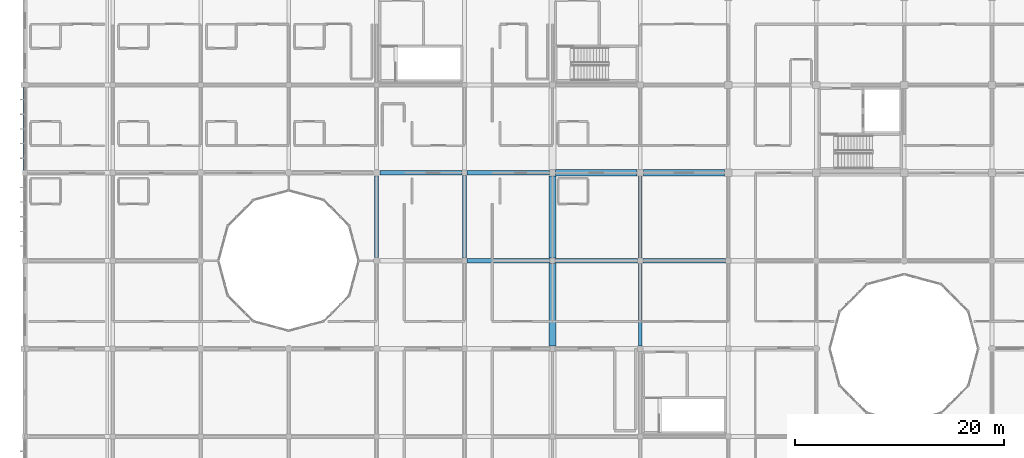
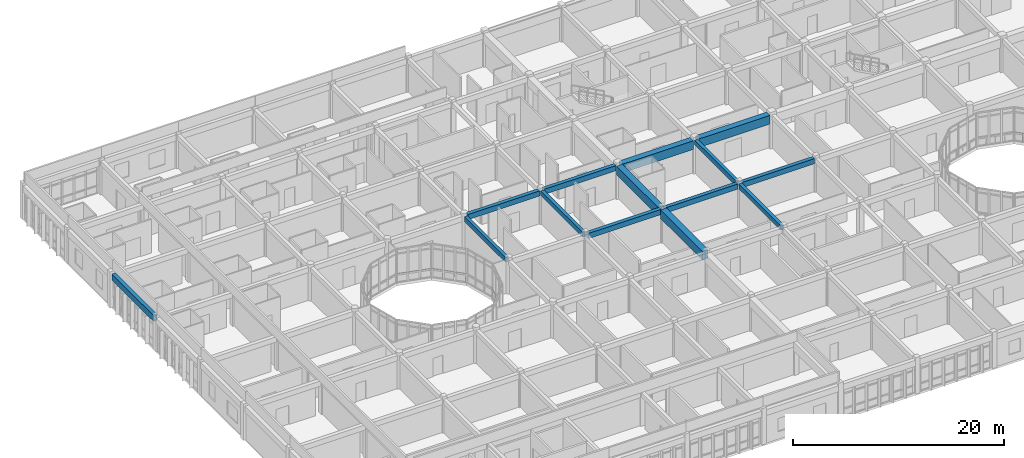
# One storey, part 26 of 119: 14 beams.
"""IFC4 building model written with IfcOpenShell, lengths in metres."""

from ifc_helpers import new_model, si_unit, direction, frame, origin, origin_2d, place, context, subcontext, project, spatial, rectangle, extrude, material, material_profile, profile_set, type_object, element, save


model = new_model("IFC4")

# Units and contexts
model_context = context("Model", 3, precision=1e-05, world=origin(), true_north=direction((0.0, 1.0)))
body_context = subcontext(model_context, "Body", "Model", "MODEL_VIEW")
ifc_project = project(units=[si_unit("LENGTHUNIT", "METRE"), si_unit("AREAUNIT", "SQUARE_METRE"), si_unit("VOLUMEUNIT", "CUBIC_METRE"), si_unit("PLANEANGLEUNIT", "RADIAN"), si_unit("MASSUNIT", "GRAM", prefix="KILO")], contexts=[model_context])

# Site, building, storey
site_placement = place(None, origin())
site = spatial("IfcSite", under=ifc_project, at=site_placement, CompositionType="ELEMENT")
building_placement = place(site_placement, origin())
building = spatial("IfcBuilding", under=site, at=building_placement, Name="Bramfleet General Hospital", CompositionType="ELEMENT")
storey_placement = place(building_placement, frame((0.0, 0.0, 14.39990234375)))
storey = spatial("IfcBuildingStorey", under=building, at=storey_placement, Name="L03", CompositionType="ELEMENT", Elevation=14.39990234375)

# Beams
ifc_material_1 = material(Name="Concrete C35/45", Category="concrete")
ifc_material_profile_1 = material_profile(ifc_material_1, rectangle(XDim=0.35009765625, YDim=0.550048828125, at=origin_2d()), Name="RC BM 550x350")
ifc_profile_set_1 = profile_set([ifc_material_profile_1], Name="Concrete C35/45")
beam_type_1 = type_object("IfcBeamType", Name="BM-RC550", PredefinedType="BEAM", material=ifc_profile_set_1)
beam_1_placement = place(storey_placement, frame((33.60009765625, 84.324951171875, 3.614990234375), z_axis=(0.0, 1.0, 0.0), x_axis=(-1.0, 0.0, 0.0)))
element("IfcBeam", 1, at=beam_1_placement, inside=storey, type_object=beam_type_1, Name="L03 Grid Beam Y 04-10", PredefinedType="BEAM", context=body_context, shape_type="SweptSolid", body=[
    extrude(rectangle(XDim=0.35009765625, YDim=0.550048828125, at=origin_2d()), origin(), (0.0, 0.0, 1.0), 7.75),
])
for number, where, z_axis, x_axis, name in (
    (2, (42.0, 84.25, 3.614990234375), (0.0, 1.0, 0.0), (-1.0, 0.0, 0.0), "L03 Grid Beam Y 05-10"),
    (3, (58.800048828125, 75.85009765625, 3.614990234375), (0.0, 1.0, 0.0), (-1.0, 0.0, 0.0), "L03 Grid Beam Y 07-09"),
):
    element("IfcBeam", number, at=place(storey_placement, frame(where, z_axis=z_axis, x_axis=x_axis)), inside=storey, type_object=beam_type_1, Name=name, PredefinedType="BEAM", context=body_context, shape_type="SweptSolid", body=[
        extrude(rectangle(XDim=0.35009765625, YDim=0.550048828125, at=origin_2d()), origin(), (0.0, 0.0, 1.0), 7.89990234375),
    ])
beam_2_placement = place(storey_placement, frame((58.800048828125, 84.25, 3.614990234375), z_axis=(0.0, 1.0, 0.0), x_axis=(-1.0, 0.0, 0.0)))
element("IfcBeam", 4, at=beam_2_placement, inside=storey, type_object=beam_type_1, Name="L03 Grid Beam Y 07-10", PredefinedType="BEAM", context=body_context, shape_type="SweptSolid", body=[
    extrude(rectangle(XDim=0.35009765625, YDim=0.550048828125, at=origin_2d()), origin(), (0.0, 0.0, 1.0), 7.85009765625),
])
ifc_material_profile_2 = material_profile(ifc_material_1, rectangle(XDim=0.39990234375, YDim=0.60009765625, at=origin_2d()), Name="RC BM 600x400")
ifc_profile_set_2 = profile_set([ifc_material_profile_2], Name="Concrete C35/45")
beam_type_2 = type_object("IfcBeamType", Name="BM-RC600", PredefinedType="BEAM", material=ifc_profile_set_2)
beam_3_placement = place(storey_placement, frame((33.925048828125, 92.39990234375, 3.590087890625), z_axis=(1.0, 0.0, 0.0), x_axis=(0.0, 1.0, 0.0)))
element("IfcBeam", 5, at=beam_3_placement, inside=storey, type_object=beam_type_2, Name="L03 Grid Beam X 04-11", PredefinedType="BEAM", context=body_context, shape_type="SweptSolid", body=[
    extrude(rectangle(XDim=0.39990234375, YDim=0.60009765625, at=origin_2d()), origin(), (0.0, 0.0, 1.0), 7.824951171875),
])
beam_4_placement = place(storey_placement, frame((42.25, 84.0, 3.590087890625), z_axis=(1.0, 0.0, 0.0), x_axis=(0.0, 1.0, 0.0)))
element("IfcBeam", 6, at=beam_4_placement, inside=storey, type_object=beam_type_2, Name="L03 Grid Beam X 05-10", PredefinedType="BEAM", context=body_context, shape_type="SweptSolid", body=[
    extrude(rectangle(XDim=0.39990234375, YDim=0.60009765625, at=origin_2d()), origin(), (0.0, 0.0, 1.0), 7.89990234375),
])
beam_5_placement = place(storey_placement, frame((42.25, 92.39990234375, 3.590087890625), z_axis=(1.0, 0.0, 0.0), x_axis=(0.0, 1.0, 0.0)))
element("IfcBeam", 7, at=beam_5_placement, inside=storey, type_object=beam_type_2, Name="L03 Grid Beam X 05-11", PredefinedType="BEAM", context=body_context, shape_type="SweptSolid", body=[
    extrude(rectangle(XDim=0.39990234375, YDim=0.60009765625, at=origin_2d()), origin(), (0.0, 0.0, 1.0), 7.85009765625),
])
beam_6_placement = place(storey_placement, frame((50.64990234375, 84.0, 3.590087890625), z_axis=(1.0, 0.0, 0.0), x_axis=(0.0, 1.0, 0.0)))
element("IfcBeam", 8, at=beam_6_placement, inside=storey, type_object=beam_type_2, Name="L03 Grid Beam X 06-10", PredefinedType="BEAM", context=body_context, shape_type="SweptSolid", body=[
    extrude(rectangle(XDim=0.39990234375, YDim=0.60009765625, at=origin_2d()), origin(), (0.0, 0.0, 1.0), 7.900146484375),
])
beam_7_placement = place(storey_placement, frame((59.050048828125, 84.0, 3.590087890625), z_axis=(1.0, 0.0, 0.0), x_axis=(0.0, 1.0, 0.0)))
element("IfcBeam", 9, at=beam_7_placement, inside=storey, type_object=beam_type_2, Name="L03 Grid Beam X 07-10", PredefinedType="BEAM", context=body_context, shape_type="SweptSolid", body=[
    extrude(rectangle(XDim=0.39990234375, YDim=0.60009765625, at=origin_2d()), origin(), (0.0, 0.0, 1.0), 7.89990234375),
])
ifc_material_profile_3 = material_profile(ifc_material_1, rectangle(XDim=0.39990234375, YDim=0.699951171875, at=origin_2d()), Name="RC SP 700x400")
ifc_profile_set_3 = profile_set([ifc_material_profile_3], Name="Concrete C35/45")
beam_type_3 = type_object("IfcBeamType", Name="BM-SP700", PredefinedType="SPANDREL", material=ifc_profile_set_3)
beam_8_placement = place(storey_placement, frame((0.0, 92.64990234375, 3.550048828125), z_axis=(0.0, 1.0, 0.0), x_axis=(-1.0, 0.0, 0.0)))
element("IfcBeam", 10, at=beam_8_placement, inside=storey, type_object=beam_type_3, Name="L03 Grid Beam Y 00-11", PredefinedType="SPANDREL", context=body_context, shape_type="SweptSolid", body=[
    extrude(rectangle(XDim=0.39990234375, YDim=0.699951171875, at=origin_2d()), origin(), (0.0, 0.0, 1.0), 7.900146484375),
])
ifc_material_2 = material(Name="Concrete C40/50", Category="concrete")
ifc_material_profile_4 = material_profile(ifc_material_2, rectangle(XDim=0.64990234375, YDim=1.0, at=origin_2d()), Name="RC TG 1000x650")
ifc_profile_set_4 = profile_set([ifc_material_profile_4], Name="Concrete C40/50")
beam_type_4 = type_object("IfcBeamType", Name="BM-TG1000", PredefinedType="BEAM", material=ifc_profile_set_4)
beam_9_placement = place(storey_placement, frame((50.699951171875, 92.39990234375, 3.39013671875), z_axis=(1.0, 0.0, 0.0), x_axis=(0.0, 1.0, 0.0)))
element("IfcBeam", 11, at=beam_9_placement, inside=storey, type_object=beam_type_4, Name="L03 Transfer Girder X 06-11", PredefinedType="BEAM", context=body_context, shape_type="SweptSolid", body=[
    extrude(rectangle(XDim=0.64990234375, YDim=1.0, at=origin_2d()), origin(), (0.0, 0.0, 1.0), 7.800048828125),
])
beam_10_placement = place(storey_placement, frame((59.10009765625, 92.39990234375, 3.39013671875), z_axis=(1.0, 0.0, 0.0), x_axis=(0.0, 1.0, 0.0)))
element("IfcBeam", 12, at=beam_10_placement, inside=storey, type_object=beam_type_4, Name="L03 Transfer Girder X 07-11", PredefinedType="BEAM", context=body_context, shape_type="SweptSolid", body=[
    extrude(rectangle(XDim=0.64990234375, YDim=1.0, at=origin_2d()), origin(), (0.0, 0.0, 1.0), 7.75),
])
beam_11_placement = place(storey_placement, frame((50.39990234375, 75.85009765625, 3.39013671875), z_axis=(0.0, 1.0, 0.0), x_axis=(-1.0, 0.0, 0.0)))
element("IfcBeam", 13, at=beam_11_placement, inside=storey, type_object=beam_type_4, Name="L03 Transfer Girder Y 06-09", PredefinedType="BEAM", context=body_context, shape_type="SweptSolid", body=[
    extrude(rectangle(XDim=0.64990234375, YDim=1.0, at=origin_2d()), origin(), (0.0, 0.0, 1.0), 7.89990234375),
])
beam_12_placement = place(storey_placement, frame((50.39990234375, 84.25, 3.39013671875), z_axis=(0.0, 1.0, 0.0), x_axis=(-1.0, 0.0, 0.0)))
element("IfcBeam", 14, at=beam_12_placement, inside=storey, type_object=beam_type_4, Name="L03 Transfer Girder Y 06-10", PredefinedType="BEAM", context=body_context, shape_type="SweptSolid", body=[
    extrude(rectangle(XDim=0.64990234375, YDim=1.0, at=origin_2d()), origin(), (0.0, 0.0, 1.0), 7.85009765625),
])

save(model, "model.ifc")
